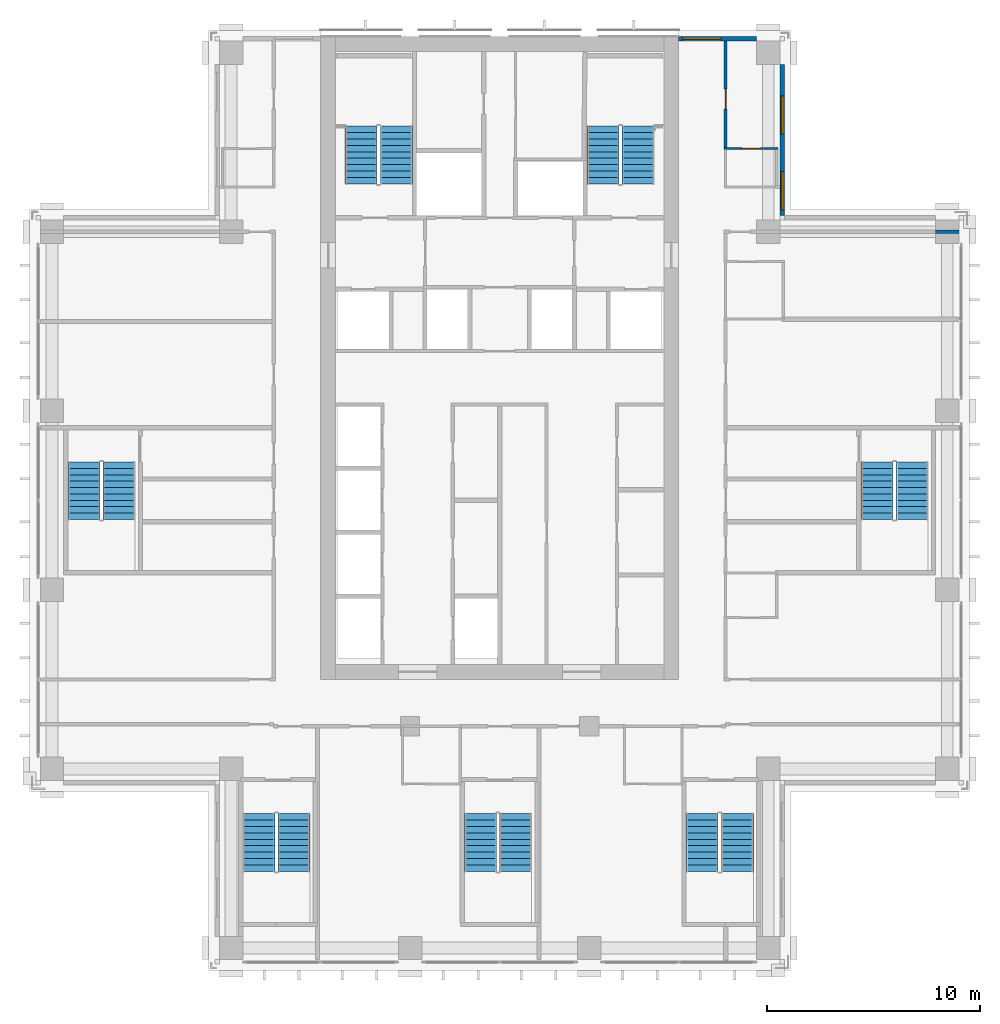
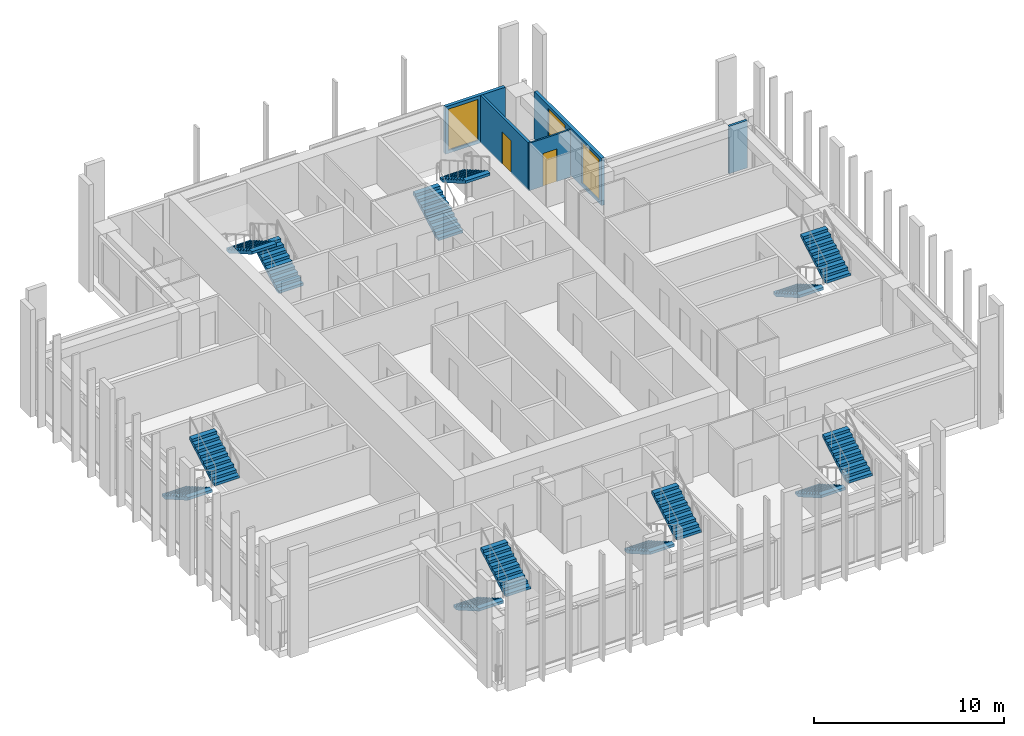
# One storey, part 13 of 16: 14 stair flights, 5 walls, 3 windows, 2 doors, 5 openings, 7 elements without a shape of their own.
"""IFC4 building model written with IfcOpenShell, lengths in metres."""

from ifc_helpers import new_model, si_unit, direction, frame, frame_2d, origin, place, context, subcontext, project, spatial, polyline, rectangle, outline, extrude, material, layer, layer_set, type_object, element, fill, aggregate, save


model = new_model("IFC4")

# Units and contexts
model_context = context("Model", 3, precision=1e-05, world=origin(), true_north=direction((0.0, 1.0)))
body_context = subcontext(model_context, "Body", "Model", "MODEL_VIEW")
ifc_project = project(units=[si_unit("LENGTHUNIT", "METRE"), si_unit("AREAUNIT", "SQUARE_METRE"), si_unit("VOLUMEUNIT", "CUBIC_METRE"), si_unit("PLANEANGLEUNIT", "RADIAN"), si_unit("MASSUNIT", "GRAM", prefix="KILO")], contexts=[model_context])

# Site, building, storey
site_placement = place(None, origin())
site = spatial("IfcSite", under=ifc_project, at=site_placement, CompositionType="ELEMENT")
building_placement = place(site_placement, origin())
building = spatial("IfcBuilding", under=site, at=building_placement, Name="Vermilion Ogive Tower", CompositionType="ELEMENT")
storey_placement = place(building_placement, frame((0.0, 0.0, 150.35009765625)))
storey = spatial("IfcBuildingStorey", under=building, at=storey_placement, Name="L38", CompositionType="ELEMENT", Elevation=150.35009765625)

# Wall, opening, door
ifc_material_1 = material(Name="Gypsum board partition on steel studs", Category="steel")
ifc_layer_1 = layer(ifc_material_1, 0.10009765625)
ifc_layer_set_1 = layer_set([ifc_layer_1], Name="Partition 100 bath")
wall_type_1 = type_object("IfcWallType", Name="Partition 100 bath", PredefinedType="PARTITIONING", material=ifc_layer_set_1)
wall_1_placement = place(storey_placement, frame((10.52490234375, 16.5, 0.0), z_axis=(0.0, 0.0, 1.0), x_axis=(1.0, 0.0, 0.0)))
wall_1 = element("IfcWall", 1, at=wall_1_placement, inside=storey, type_object=wall_type_1, Name="L38-W-W039", PredefinedType="PARTITIONING", context=body_context, shape_type="SweptSolid", body=[
    extrude(rectangle(XDim=2.525146484375, YDim=0.10009765625, at=frame_2d((1.2626953125, 0.0))), origin(), (0.0, 0.0, 1.0), 3.0498046875),
])
opening_1_placement = place(wall_1_placement, frame((0.85009765625, 0.0, 0.0)))
opening_1 = element("IfcOpeningElement", 2, at=opening_1_placement, cuts=wall_1, Name="Opening D3G3018", PredefinedType="OPENING", context=body_context, shape_type="SweptSolid", body=[
    extrude(rectangle(XDim=0.85009765625, YDim=2.10009765625, at=frame_2d((0.425048828125, 1.050048828125))), frame((0.0, 0.06005859375, 0.0), z_axis=(0.0, -1.0, 0.0), x_axis=(1.0, 0.0, 0.0)), (0.0, 0.0, 1.0), 0.1201171875),
])
ifc_material_2 = material(Name="Timber door leaf", Category="wood")
door_type_1 = type_object("IfcDoorType", Name="Bath door 850 x 2100 FD30", OperationType="SINGLE_SWING_LEFT", PredefinedType="DOOR", material=ifc_material_2)
door_1_placement = place(opening_1_placement, origin())
door_1 = element("IfcDoor", 3, at=door_1_placement, inside=storey, type_object=door_type_1, Name="L38-D-D018", OperationType="SINGLE_SWING_RIGHT", OverallHeight=2.10009765625, OverallWidth=0.85009765625, PredefinedType="DOOR", context=body_context, shape_type="SweptSolid", body=[
    extrude(rectangle(XDim=0.85009765625, YDim=2.10009765625, at=frame_2d((0.425048828125, 1.050048828125))), frame((0.0, 0.02490234375, 0.0), z_axis=(0.0, -1.0, 0.0), x_axis=(1.0, 0.0, 0.0)), (0.0, 0.0, 1.0), 0.050048828125),
])
fill(opening_1, door_1)

ifc_material_3 = material(Name="Gypsum board partition on steel studs", Category="steel")
ifc_layer_2 = layer(ifc_material_3, 0.14990234375)
ifc_layer_set_2 = layer_set([ifc_layer_2], Name="Partition 150 corridor")
wall_type_2 = type_object("IfcWallType", Name="Partition 150 corridor", PredefinedType="PARTITIONING", material=ifc_layer_set_2)
wall_2_placement = place(storey_placement, frame((10.60009765625, 16.550048828125, 0.0), z_axis=(0.0, 0.0, 1.0), x_axis=(0.0, 1.0, 0.0)))
wall_2 = element("IfcWall", 4, at=wall_2_placement, inside=storey, type_object=wall_type_2, Name="L38-W-W063", PredefinedType="PARTITIONING", context=body_context, shape_type="SweptSolid", body=[
    extrude(rectangle(XDim=5.0, YDim=0.14990234375, at=frame_2d((2.5, 0.0))), origin(), (0.0, 0.0, 1.0), 3.0498046875),
])
opening_2_placement = place(wall_2_placement, frame((1.800048828125, 0.0, 0.0)))
opening_2 = element("IfcOpeningElement", 5, at=opening_2_placement, cuts=wall_2, Name="Opening D3G3017", PredefinedType="OPENING", context=body_context, shape_type="SweptSolid", body=[
    extrude(rectangle(XDim=0.949951171875, YDim=2.10009765625, at=frame_2d((0.47509765625, 1.050048828125))), frame((0.0, 0.0849609375, 0.0), z_axis=(0.0, -1.0, 0.0), x_axis=(1.0, 0.0, 0.0)), (0.0, 0.0, 1.0), 0.169921875),
])
ifc_material_4 = material(Name="Timber door leaf", Category="wood")
door_type_2 = type_object("IfcDoorType", Name="Unit door 950 x 2100 FD30S", OperationType="SINGLE_SWING_LEFT", PredefinedType="DOOR", material=ifc_material_4)
door_2_placement = place(opening_2_placement, origin())
door_2 = element("IfcDoor", 6, at=door_2_placement, inside=storey, type_object=door_type_2, Name="L38-D-D017", OperationType="SINGLE_SWING_LEFT", OverallHeight=2.10009765625, OverallWidth=0.949951171875, PredefinedType="DOOR", context=body_context, shape_type="SweptSolid", body=[
    extrude(rectangle(XDim=0.949951171875, YDim=2.10009765625, at=frame_2d((0.47509765625, 1.050048828125))), frame((0.0, 0.02490234375, 0.0), z_axis=(0.0, -1.0, 0.0), x_axis=(1.0, 0.0, 0.0)), (0.0, 0.0, 1.0), 0.050048828125),
])
fill(opening_2, door_2)

# Wall
wall_3_placement = place(storey_placement, frame((20.449951171875, 12.60009765625, 0.0), z_axis=(0.0, 0.0, 1.0), x_axis=(1.0, 0.0, 0.0)))
element("IfcWall", 7, at=wall_3_placement, inside=storey, type_object=wall_type_2, Name="L38-W-W033-h2", PredefinedType="PARTITIONING", context=body_context, shape_type="SweptSolid", body=[
    extrude(rectangle(XDim=1.10009765625, YDim=0.14990234375, at=frame_2d((0.550048828125, 0.0))), origin(), (0.0, 0.0, 1.0), 3.0498046875),
])

# Wall, openings, windows
ifc_material_5 = material(Name="Aluminium window wall framing", Category="aluminium")
ifc_layer_3 = layer(ifc_material_5, 0.199951171875)
ifc_layer_set_3 = layer_set([ifc_layer_3], Name="Window wall")
wall_type_3 = type_object("IfcWallType", Name="Window wall", PredefinedType="STANDARD", material=ifc_layer_set_3)
wall_4_placement = place(storey_placement, frame((13.25, 13.35009765625, 0.0), z_axis=(0.0, 0.0, 1.0), x_axis=(0.0, 1.0, 0.0)))
wall_4 = element("IfcWall", 8, at=wall_4_placement, inside=storey, type_object=wall_type_3, Name="Window wall X41", PredefinedType="STANDARD", context=body_context, shape_type="SweptSolid", body=[
    extrude(rectangle(XDim=7.099853515625, YDim=0.199951171875, at=frame_2d((3.5498046875, 0.0))), origin(), (0.0, 0.0, 1.0), 3.0498046875),
])
opening_3_placement = place(wall_4_placement, frame((0.27490234375, 0.0, 0.199951171875)))
opening_3 = element("IfcOpeningElement", 9, at=opening_3_placement, cuts=wall_4, Name="Opening W1-X403", PredefinedType="OPENING", context=body_context, shape_type="SweptSolid", body=[
    extrude(rectangle(XDim=1.800048828125, YDim=2.64990234375, at=frame_2d((0.89990234375, 1.324951171875))), frame((0.0, 0.10986328125, 0.0), z_axis=(0.0, -1.0, 0.0), x_axis=(1.0, 0.0, 0.0)), (0.0, 0.0, 1.0), 0.219970703125),
])
opening_4_placement = place(wall_4_placement, frame((3.824951171875, 0.0, 0.199951171875)))
opening_4 = element("IfcOpeningElement", 10, at=opening_4_placement, cuts=wall_4, Name="Opening W1-X404", PredefinedType="OPENING", context=body_context, shape_type="SweptSolid", body=[
    extrude(rectangle(XDim=1.800048828125, YDim=2.64990234375, at=frame_2d((0.89990234375, 1.324951171875))), frame((0.0, 0.10986328125, 0.0), z_axis=(0.0, -1.0, 0.0), x_axis=(1.0, 0.0, 0.0)), (0.0, 0.0, 1.0), 0.219970703125),
])
ifc_material_6 = material(Name="Aluminium framed double glazing", Category="aluminium")
window_type = type_object("IfcWindowType", Name="Guest window W1", PartitioningType="SINGLE_PANEL", PredefinedType="WINDOW", material=ifc_material_6)
window_1_placement = place(opening_3_placement, origin())
window_1 = element("IfcWindow", 11, at=window_1_placement, inside=storey, type_object=window_type, Name="Window X403", OverallHeight=2.64990234375, OverallWidth=1.800048828125, PartitioningType="SINGLE_PANEL", PredefinedType="WINDOW", context=body_context, shape_type="SweptSolid", body=[
    extrude(rectangle(XDim=1.800048828125, YDim=2.64990234375, at=frame_2d((0.89990234375, 1.324951171875))), frame((0.0, 0.030029296875, 0.0), z_axis=(0.0, -1.0, 0.0), x_axis=(1.0, 0.0, 0.0)), (0.0, 0.0, 1.0), 0.06005859375),
])
fill(opening_3, window_1)
window_2_placement = place(opening_4_placement, origin())
window_2 = element("IfcWindow", 12, at=window_2_placement, inside=storey, type_object=window_type, Name="Window X404", OverallHeight=2.64990234375, OverallWidth=1.800048828125, PartitioningType="SINGLE_PANEL", PredefinedType="WINDOW", context=body_context, shape_type="SweptSolid", body=[
    extrude(rectangle(XDim=1.800048828125, YDim=2.64990234375, at=frame_2d((0.89990234375, 1.324951171875))), frame((0.0, 0.030029296875, 0.0), z_axis=(0.0, -1.0, 0.0), x_axis=(1.0, 0.0, 0.0)), (0.0, 0.0, 1.0), 0.06005859375),
])
fill(opening_4, window_2)

# Wall, opening, window
wall_5_placement = place(storey_placement, frame((12.050048828125, 21.64990234375, 0.0), z_axis=(0.0, 0.0, 1.0), x_axis=(-1.0, 0.0, 0.0)))
wall_5 = element("IfcWall", 13, at=wall_5_placement, inside=storey, type_object=wall_type_3, Name="Window wall N11", PredefinedType="STANDARD", context=body_context, shape_type="SweptSolid", body=[
    extrude(rectangle(XDim=3.650146484375, YDim=0.199951171875, at=frame_2d((1.8251953125, 0.0))), origin(), (0.0, 0.0, 1.0), 3.0498046875),
])
opening_5_placement = place(wall_5_placement, frame((1.669921875, 0.0, 0.199951171875)))
opening_5 = element("IfcOpeningElement", 14, at=opening_5_placement, cuts=wall_5, Name="Opening W1-N102", PredefinedType="OPENING", context=body_context, shape_type="SweptSolid", body=[
    extrude(rectangle(XDim=1.800048828125, YDim=2.64990234375, at=frame_2d((0.89990234375, 1.324951171875))), frame((0.0, 0.10986328125, 0.0), z_axis=(0.0, -1.0, 0.0), x_axis=(1.0, 0.0, 0.0)), (0.0, 0.0, 1.0), 0.219970703125),
])
window_3_placement = place(opening_5_placement, origin())
window_3 = element("IfcWindow", 15, at=window_3_placement, inside=storey, type_object=window_type, Name="Window N102", OverallHeight=2.64990234375, OverallWidth=1.800048828125, PartitioningType="SINGLE_PANEL", PredefinedType="WINDOW", context=body_context, shape_type="SweptSolid", body=[
    extrude(rectangle(XDim=1.800048828125, YDim=2.64990234375, at=frame_2d((0.89990234375, 1.324951171875))), frame((0.0, 0.030029296875, 0.0), z_axis=(0.0, -1.0, 0.0), x_axis=(1.0, 0.0, 0.0)), (0.0, 0.0, 1.0), 0.06005859375),
])
fill(opening_5, window_3)

# Stair, stair flights
ifc_material_7 = material(Name="Concrete B40", Category="concrete")
stair_type = type_object("IfcStairType", Name="Exit stair 1500", PredefinedType="HALF_TURN_STAIR", material=ifc_material_7)
stair_1_placement = place(storey_placement, origin())
stair_1 = element("IfcStair", 16, at=stair_1_placement, inside=storey, type_object=stair_type, Name="L38 Exit Stair ST1", PredefinedType="HALF_TURN_STAIR")
ifc_material_8 = material(Name="Concrete B40", Category="concrete")
stair_flight_type = type_object("IfcStairFlightType", Name="Stair flight 1500", PredefinedType="STRAIGHT", material=ifc_material_8)
stair_flight_1_placement = place(storey_placement, frame((-4.85009765625, 14.85009765625, 0.0), z_axis=(0.0, 0.0, 1.0), x_axis=(0.0, 1.0, 0.0)))
stair_flight_1 = element("IfcStairFlight", 17, at=stair_flight_1_placement, type_object=stair_flight_type, Name="ST1 flight 1", NumberOfRisers=10, NumberOfTreads=9, PredefinedType="STRAIGHT", RiserHeight=0.1725, TreadLength=0.3, context=body_context, shape_type="SweptSolid", body=[
    extrude(outline(polyline([(0.0, 0.0), (0.0, 0.172607421875), (0.300048828125, 0.172607421875), (0.300048828125, 0.344970703125), (0.60009765625, 0.344970703125), (0.60009765625, 0.517578125), (0.89990234375, 0.517578125), (0.89990234375, 0.68994140625), (1.199951171875, 0.68994140625), (1.199951171875, 0.862548828125), (1.5, 0.862548828125), (1.5, 1.034912109375), (1.800048828125, 1.034912109375), (1.800048828125, 1.20751953125), (2.10009765625, 1.20751953125), (2.10009765625, 1.3798828125), (2.39990234375, 1.3798828125), (2.39990234375, 1.552490234375), (2.699951171875, 1.552490234375), (2.699951171875, 1.72509765625), (2.699951171875, 1.379638671875), (0.30078125, 0.0), (0.0, 0.0)])), frame((0.0, 0.75, 0.0), z_axis=(0.0, -1.0, 0.0), x_axis=(1.0, 0.0, 0.0)), (0.0, 0.0, 1.0), 1.5),
])
stair_flight_2_placement = place(storey_placement, frame((-6.5, 17.550048828125, 1.724853515625), z_axis=(0.0, 0.0, 1.0), x_axis=(0.0, -1.0, 0.0)))
stair_flight_2 = element("IfcStairFlight", 18, at=stair_flight_2_placement, type_object=stair_flight_type, Name="ST1 flight 2", NumberOfRisers=10, NumberOfTreads=9, PredefinedType="STRAIGHT", RiserHeight=0.1725, TreadLength=0.3, context=body_context, shape_type="SweptSolid", body=[
    extrude(outline(polyline([(0.0, 0.0), (0.0, 0.172607421875), (0.300048828125, 0.172607421875), (0.300048828125, 0.344970703125), (0.60009765625, 0.344970703125), (0.60009765625, 0.517578125), (0.89990234375, 0.517578125), (0.89990234375, 0.68994140625), (1.199951171875, 0.68994140625), (1.199951171875, 0.862548828125), (1.5, 0.862548828125), (1.5, 1.034912109375), (1.800048828125, 1.034912109375), (1.800048828125, 1.20751953125), (2.10009765625, 1.20751953125), (2.10009765625, 1.3798828125), (2.39990234375, 1.3798828125), (2.39990234375, 1.552490234375), (2.699951171875, 1.552490234375), (2.699951171875, 1.72509765625), (2.699951171875, 1.379638671875), (0.30078125, 0.0), (0.0, 0.0)])), frame((0.0, 0.75, 0.0), z_axis=(0.0, -1.0, 0.0), x_axis=(1.0, 0.0, 0.0)), (0.0, 0.0, 1.0), 1.5),
])
aggregate(stair_1, [stair_flight_1, stair_flight_2])

stair_2_placement = place(storey_placement, origin())
stair_2 = element("IfcStair", 19, at=stair_2_placement, inside=storey, type_object=stair_type, Name="L38 Exit Stair ST2", PredefinedType="HALF_TURN_STAIR")
stair_flight_3_placement = place(storey_placement, frame((4.85009765625, 14.85009765625, 0.0), z_axis=(0.0, 0.0, 1.0), x_axis=(0.0, 1.0, 0.0)))
stair_flight_3 = element("IfcStairFlight", 20, at=stair_flight_3_placement, type_object=stair_flight_type, Name="ST2 flight 1", NumberOfRisers=10, NumberOfTreads=9, PredefinedType="STRAIGHT", RiserHeight=0.1725, TreadLength=0.3, context=body_context, shape_type="SweptSolid", body=[
    extrude(outline(polyline([(0.0, 0.0), (0.0, 0.172607421875), (0.300048828125, 0.172607421875), (0.300048828125, 0.344970703125), (0.60009765625, 0.344970703125), (0.60009765625, 0.517578125), (0.89990234375, 0.517578125), (0.89990234375, 0.68994140625), (1.199951171875, 0.68994140625), (1.199951171875, 0.862548828125), (1.5, 0.862548828125), (1.5, 1.034912109375), (1.800048828125, 1.034912109375), (1.800048828125, 1.20751953125), (2.10009765625, 1.20751953125), (2.10009765625, 1.3798828125), (2.39990234375, 1.3798828125), (2.39990234375, 1.552490234375), (2.699951171875, 1.552490234375), (2.699951171875, 1.72509765625), (2.699951171875, 1.379638671875), (0.30078125, 0.0), (0.0, 0.0)])), frame((0.0, 0.75, 0.0), z_axis=(0.0, -1.0, 0.0), x_axis=(1.0, 0.0, 0.0)), (0.0, 0.0, 1.0), 1.5),
])
stair_flight_4_placement = place(storey_placement, frame((6.5, 17.550048828125, 1.724853515625), z_axis=(0.0, 0.0, 1.0), x_axis=(0.0, -1.0, 0.0)))
stair_flight_4 = element("IfcStairFlight", 21, at=stair_flight_4_placement, type_object=stair_flight_type, Name="ST2 flight 2", NumberOfRisers=10, NumberOfTreads=9, PredefinedType="STRAIGHT", RiserHeight=0.1725, TreadLength=0.3, context=body_context, shape_type="SweptSolid", body=[
    extrude(outline(polyline([(0.0, 0.0), (0.0, 0.172607421875), (0.300048828125, 0.172607421875), (0.300048828125, 0.344970703125), (0.60009765625, 0.344970703125), (0.60009765625, 0.517578125), (0.89990234375, 0.517578125), (0.89990234375, 0.68994140625), (1.199951171875, 0.68994140625), (1.199951171875, 0.862548828125), (1.5, 0.862548828125), (1.5, 1.034912109375), (1.800048828125, 1.034912109375), (1.800048828125, 1.20751953125), (2.10009765625, 1.20751953125), (2.10009765625, 1.3798828125), (2.39990234375, 1.3798828125), (2.39990234375, 1.552490234375), (2.699951171875, 1.552490234375), (2.699951171875, 1.72509765625), (2.699951171875, 1.379638671875), (0.30078125, 0.0), (0.0, 0.0)])), frame((0.0, 0.75, 0.0), z_axis=(0.0, -1.0, 0.0), x_axis=(1.0, 0.0, 0.0)), (0.0, 0.0, 1.0), 1.5),
])
aggregate(stair_2, [stair_flight_3, stair_flight_4])

stair_3_placement = place(storey_placement, origin())
stair_3 = element("IfcStair", 22, at=stair_3_placement, inside=storey, type_object=stair_type, Name="L38 Exit Stair ST3", PredefinedType="HALF_TURN_STAIR")
stair_flight_5_placement = place(storey_placement, frame((-11.300048828125, -14.699951171875, 0.0), z_axis=(0.0, 0.0, 1.0), x_axis=(0.0, -1.0, 0.0)))
stair_flight_5 = element("IfcStairFlight", 23, at=stair_flight_5_placement, type_object=stair_flight_type, Name="ST3 flight 1", NumberOfRisers=10, NumberOfTreads=9, PredefinedType="STRAIGHT", RiserHeight=0.1725, TreadLength=0.3, context=body_context, shape_type="SweptSolid", body=[
    extrude(outline(polyline([(0.0, 0.0), (0.0, 0.172607421875), (0.300048828125, 0.172607421875), (0.300048828125, 0.344970703125), (0.60009765625, 0.344970703125), (0.60009765625, 0.517578125), (0.89990234375, 0.517578125), (0.89990234375, 0.68994140625), (1.199951171875, 0.68994140625), (1.199951171875, 0.862548828125), (1.5, 0.862548828125), (1.5, 1.034912109375), (1.800048828125, 1.034912109375), (1.800048828125, 1.20751953125), (2.10009765625, 1.20751953125), (2.10009765625, 1.3798828125), (2.39990234375, 1.3798828125), (2.39990234375, 1.552490234375), (2.699951171875, 1.552490234375), (2.699951171875, 1.72509765625), (2.699951171875, 1.379638671875), (0.30078125, 0.0), (0.0, 0.0)])), frame((0.0, 0.75, 0.0), z_axis=(0.0, -1.0, 0.0), x_axis=(1.0, 0.0, 0.0)), (0.0, 0.0, 1.0), 1.5),
])
stair_flight_6_placement = place(storey_placement, frame((-9.64990234375, -17.39990234375, 1.724853515625), z_axis=(0.0, 0.0, 1.0), x_axis=(0.0, 1.0, 0.0)))
stair_flight_6 = element("IfcStairFlight", 24, at=stair_flight_6_placement, type_object=stair_flight_type, Name="ST3 flight 2", NumberOfRisers=10, NumberOfTreads=9, PredefinedType="STRAIGHT", RiserHeight=0.1725, TreadLength=0.3, context=body_context, shape_type="SweptSolid", body=[
    extrude(outline(polyline([(0.0, 0.0), (0.0, 0.172607421875), (0.300048828125, 0.172607421875), (0.300048828125, 0.344970703125), (0.60009765625, 0.344970703125), (0.60009765625, 0.517578125), (0.89990234375, 0.517578125), (0.89990234375, 0.68994140625), (1.199951171875, 0.68994140625), (1.199951171875, 0.862548828125), (1.5, 0.862548828125), (1.5, 1.034912109375), (1.800048828125, 1.034912109375), (1.800048828125, 1.20751953125), (2.10009765625, 1.20751953125), (2.10009765625, 1.3798828125), (2.39990234375, 1.3798828125), (2.39990234375, 1.552490234375), (2.699951171875, 1.552490234375), (2.699951171875, 1.72509765625), (2.699951171875, 1.379638671875), (0.30078125, 0.0), (0.0, 0.0)])), frame((0.0, 0.75, 0.0), z_axis=(0.0, -1.0, 0.0), x_axis=(1.0, 0.0, 0.0)), (0.0, 0.0, 1.0), 1.5),
])
aggregate(stair_3, [stair_flight_5, stair_flight_6])

stair_4_placement = place(storey_placement, origin())
stair_4 = element("IfcStair", 25, at=stair_4_placement, inside=storey, type_object=stair_type, Name="L38 Exit Stair ST4", PredefinedType="HALF_TURN_STAIR")
stair_flight_7_placement = place(storey_placement, frame((-0.89990234375, -14.699951171875, 0.0), z_axis=(0.0, 0.0, 1.0), x_axis=(0.0, -1.0, 0.0)))
stair_flight_7 = element("IfcStairFlight", 26, at=stair_flight_7_placement, type_object=stair_flight_type, Name="ST4 flight 1", NumberOfRisers=10, NumberOfTreads=9, PredefinedType="STRAIGHT", RiserHeight=0.1725, TreadLength=0.3, context=body_context, shape_type="SweptSolid", body=[
    extrude(outline(polyline([(0.0, 0.0), (0.0, 0.172607421875), (0.300048828125, 0.172607421875), (0.300048828125, 0.344970703125), (0.60009765625, 0.344970703125), (0.60009765625, 0.517578125), (0.89990234375, 0.517578125), (0.89990234375, 0.68994140625), (1.199951171875, 0.68994140625), (1.199951171875, 0.862548828125), (1.5, 0.862548828125), (1.5, 1.034912109375), (1.800048828125, 1.034912109375), (1.800048828125, 1.20751953125), (2.10009765625, 1.20751953125), (2.10009765625, 1.3798828125), (2.39990234375, 1.3798828125), (2.39990234375, 1.552490234375), (2.699951171875, 1.552490234375), (2.699951171875, 1.72509765625), (2.699951171875, 1.379638671875), (0.30078125, 0.0), (0.0, 0.0)])), frame((0.0, 0.75, 0.0), z_axis=(0.0, -1.0, 0.0), x_axis=(1.0, 0.0, 0.0)), (0.0, 0.0, 1.0), 1.5),
])
stair_flight_8_placement = place(storey_placement, frame((0.75, -17.39990234375, 1.724853515625), z_axis=(0.0, 0.0, 1.0), x_axis=(0.0, 1.0, 0.0)))
stair_flight_8 = element("IfcStairFlight", 27, at=stair_flight_8_placement, type_object=stair_flight_type, Name="ST4 flight 2", NumberOfRisers=10, NumberOfTreads=9, PredefinedType="STRAIGHT", RiserHeight=0.1725, TreadLength=0.3, context=body_context, shape_type="SweptSolid", body=[
    extrude(outline(polyline([(0.0, 0.0), (0.0, 0.172607421875), (0.300048828125, 0.172607421875), (0.300048828125, 0.344970703125), (0.60009765625, 0.344970703125), (0.60009765625, 0.517578125), (0.89990234375, 0.517578125), (0.89990234375, 0.68994140625), (1.199951171875, 0.68994140625), (1.199951171875, 0.862548828125), (1.5, 0.862548828125), (1.5, 1.034912109375), (1.800048828125, 1.034912109375), (1.800048828125, 1.20751953125), (2.10009765625, 1.20751953125), (2.10009765625, 1.3798828125), (2.39990234375, 1.3798828125), (2.39990234375, 1.552490234375), (2.699951171875, 1.552490234375), (2.699951171875, 1.72509765625), (2.699951171875, 1.379638671875), (0.30078125, 0.0), (0.0, 0.0)])), frame((0.0, 0.75, 0.0), z_axis=(0.0, -1.0, 0.0), x_axis=(1.0, 0.0, 0.0)), (0.0, 0.0, 1.0), 1.5),
])
aggregate(stair_4, [stair_flight_7, stair_flight_8])

stair_5_placement = place(storey_placement, origin())
stair_5 = element("IfcStair", 28, at=stair_5_placement, inside=storey, type_object=stair_type, Name="L38 Exit Stair ST5", PredefinedType="HALF_TURN_STAIR")
stair_flight_9_placement = place(storey_placement, frame((9.5, -14.699951171875, 0.0), z_axis=(0.0, 0.0, 1.0), x_axis=(0.0, -1.0, 0.0)))
stair_flight_9 = element("IfcStairFlight", 29, at=stair_flight_9_placement, type_object=stair_flight_type, Name="ST5 flight 1", NumberOfRisers=10, NumberOfTreads=9, PredefinedType="STRAIGHT", RiserHeight=0.1725, TreadLength=0.3, context=body_context, shape_type="SweptSolid", body=[
    extrude(outline(polyline([(0.0, 0.0), (0.0, 0.172607421875), (0.300048828125, 0.172607421875), (0.300048828125, 0.344970703125), (0.60009765625, 0.344970703125), (0.60009765625, 0.517578125), (0.89990234375, 0.517578125), (0.89990234375, 0.68994140625), (1.199951171875, 0.68994140625), (1.199951171875, 0.862548828125), (1.5, 0.862548828125), (1.5, 1.034912109375), (1.800048828125, 1.034912109375), (1.800048828125, 1.20751953125), (2.10009765625, 1.20751953125), (2.10009765625, 1.3798828125), (2.39990234375, 1.3798828125), (2.39990234375, 1.552490234375), (2.699951171875, 1.552490234375), (2.699951171875, 1.72509765625), (2.699951171875, 1.379638671875), (0.30078125, 0.0), (0.0, 0.0)])), frame((0.0, 0.75, 0.0), z_axis=(0.0, -1.0, 0.0), x_axis=(1.0, 0.0, 0.0)), (0.0, 0.0, 1.0), 1.5),
])
stair_flight_10_placement = place(storey_placement, frame((11.14990234375, -17.39990234375, 1.724853515625), z_axis=(0.0, 0.0, 1.0), x_axis=(0.0, 1.0, 0.0)))
stair_flight_10 = element("IfcStairFlight", 30, at=stair_flight_10_placement, type_object=stair_flight_type, Name="ST5 flight 2", NumberOfRisers=10, NumberOfTreads=9, PredefinedType="STRAIGHT", RiserHeight=0.1725, TreadLength=0.3, context=body_context, shape_type="SweptSolid", body=[
    extrude(outline(polyline([(0.0, 0.0), (0.0, 0.172607421875), (0.300048828125, 0.172607421875), (0.300048828125, 0.344970703125), (0.60009765625, 0.344970703125), (0.60009765625, 0.517578125), (0.89990234375, 0.517578125), (0.89990234375, 0.68994140625), (1.199951171875, 0.68994140625), (1.199951171875, 0.862548828125), (1.5, 0.862548828125), (1.5, 1.034912109375), (1.800048828125, 1.034912109375), (1.800048828125, 1.20751953125), (2.10009765625, 1.20751953125), (2.10009765625, 1.3798828125), (2.39990234375, 1.3798828125), (2.39990234375, 1.552490234375), (2.699951171875, 1.552490234375), (2.699951171875, 1.72509765625), (2.699951171875, 1.379638671875), (0.30078125, 0.0), (0.0, 0.0)])), frame((0.0, 0.75, 0.0), z_axis=(0.0, -1.0, 0.0), x_axis=(1.0, 0.0, 0.0)), (0.0, 0.0, 1.0), 1.5),
])
aggregate(stair_5, [stair_flight_9, stair_flight_10])

stair_6_placement = place(storey_placement, origin())
stair_6 = element("IfcStair", 31, at=stair_6_placement, inside=storey, type_object=stair_type, Name="L38 Exit Stair ST8", PredefinedType="HALF_TURN_STAIR")
stair_flight_11_placement = place(storey_placement, frame((17.699951171875, 1.800048828125, 0.0), z_axis=(0.0, 0.0, 1.0), x_axis=(0.0, -1.0, 0.0)))
stair_flight_11 = element("IfcStairFlight", 32, at=stair_flight_11_placement, type_object=stair_flight_type, Name="ST8 flight 1", NumberOfRisers=10, NumberOfTreads=9, PredefinedType="STRAIGHT", RiserHeight=0.1725, TreadLength=0.3, context=body_context, shape_type="SweptSolid", body=[
    extrude(outline(polyline([(0.0, 0.0), (0.0, 0.172607421875), (0.300048828125, 0.172607421875), (0.300048828125, 0.344970703125), (0.60009765625, 0.344970703125), (0.60009765625, 0.517578125), (0.89990234375, 0.517578125), (0.89990234375, 0.68994140625), (1.199951171875, 0.68994140625), (1.199951171875, 0.862548828125), (1.5, 0.862548828125), (1.5, 1.034912109375), (1.800048828125, 1.034912109375), (1.800048828125, 1.20751953125), (2.10009765625, 1.20751953125), (2.10009765625, 1.3798828125), (2.39990234375, 1.3798828125), (2.39990234375, 1.552490234375), (2.699951171875, 1.552490234375), (2.699951171875, 1.72509765625), (2.699951171875, 1.379638671875), (0.30078125, 0.0), (0.0, 0.0)])), frame((0.0, 0.75, 0.0), z_axis=(0.0, -1.0, 0.0), x_axis=(1.0, 0.0, 0.0)), (0.0, 0.0, 1.0), 1.5),
])
stair_flight_12_placement = place(storey_placement, frame((19.35009765625, -0.89990234375, 1.724853515625), z_axis=(0.0, 0.0, 1.0), x_axis=(0.0, 1.0, 0.0)))
stair_flight_12 = element("IfcStairFlight", 33, at=stair_flight_12_placement, type_object=stair_flight_type, Name="ST8 flight 2", NumberOfRisers=10, NumberOfTreads=9, PredefinedType="STRAIGHT", RiserHeight=0.1725, TreadLength=0.3, context=body_context, shape_type="SweptSolid", body=[
    extrude(outline(polyline([(0.0, 0.0), (0.0, 0.172607421875), (0.300048828125, 0.172607421875), (0.300048828125, 0.344970703125), (0.60009765625, 0.344970703125), (0.60009765625, 0.517578125), (0.89990234375, 0.517578125), (0.89990234375, 0.68994140625), (1.199951171875, 0.68994140625), (1.199951171875, 0.862548828125), (1.5, 0.862548828125), (1.5, 1.034912109375), (1.800048828125, 1.034912109375), (1.800048828125, 1.20751953125), (2.10009765625, 1.20751953125), (2.10009765625, 1.3798828125), (2.39990234375, 1.3798828125), (2.39990234375, 1.552490234375), (2.699951171875, 1.552490234375), (2.699951171875, 1.72509765625), (2.699951171875, 1.379638671875), (0.30078125, 0.0), (0.0, 0.0)])), frame((0.0, 0.75, 0.0), z_axis=(0.0, -1.0, 0.0), x_axis=(1.0, 0.0, 0.0)), (0.0, 0.0, 1.0), 1.5),
])
aggregate(stair_6, [stair_flight_11, stair_flight_12])

stair_7_placement = place(storey_placement, origin())
stair_7 = element("IfcStair", 34, at=stair_7_placement, inside=storey, type_object=stair_type, Name="L38 Exit Stair ST9", PredefinedType="HALF_TURN_STAIR")
stair_flight_13_placement = place(storey_placement, frame((-19.5, 1.800048828125, 0.0), z_axis=(0.0, 0.0, 1.0), x_axis=(0.0, -1.0, 0.0)))
stair_flight_13 = element("IfcStairFlight", 35, at=stair_flight_13_placement, type_object=stair_flight_type, Name="ST9 flight 1", NumberOfRisers=10, NumberOfTreads=9, PredefinedType="STRAIGHT", RiserHeight=0.1725, TreadLength=0.3, context=body_context, shape_type="SweptSolid", body=[
    extrude(outline(polyline([(0.0, 0.0), (0.0, 0.172607421875), (0.300048828125, 0.172607421875), (0.300048828125, 0.344970703125), (0.60009765625, 0.344970703125), (0.60009765625, 0.517578125), (0.89990234375, 0.517578125), (0.89990234375, 0.68994140625), (1.199951171875, 0.68994140625), (1.199951171875, 0.862548828125), (1.5, 0.862548828125), (1.5, 1.034912109375), (1.800048828125, 1.034912109375), (1.800048828125, 1.20751953125), (2.10009765625, 1.20751953125), (2.10009765625, 1.3798828125), (2.39990234375, 1.3798828125), (2.39990234375, 1.552490234375), (2.699951171875, 1.552490234375), (2.699951171875, 1.72509765625), (2.699951171875, 1.379638671875), (0.30078125, 0.0), (0.0, 0.0)])), frame((0.0, 0.75, 0.0), z_axis=(0.0, -1.0, 0.0), x_axis=(1.0, 0.0, 0.0)), (0.0, 0.0, 1.0), 1.5),
])
stair_flight_14_placement = place(storey_placement, frame((-17.85009765625, -0.89990234375, 1.724853515625), z_axis=(0.0, 0.0, 1.0), x_axis=(0.0, 1.0, 0.0)))
stair_flight_14 = element("IfcStairFlight", 36, at=stair_flight_14_placement, type_object=stair_flight_type, Name="ST9 flight 2", NumberOfRisers=10, NumberOfTreads=9, PredefinedType="STRAIGHT", RiserHeight=0.1725, TreadLength=0.3, context=body_context, shape_type="SweptSolid", body=[
    extrude(outline(polyline([(0.0, 0.0), (0.0, 0.172607421875), (0.300048828125, 0.172607421875), (0.300048828125, 0.344970703125), (0.60009765625, 0.344970703125), (0.60009765625, 0.517578125), (0.89990234375, 0.517578125), (0.89990234375, 0.68994140625), (1.199951171875, 0.68994140625), (1.199951171875, 0.862548828125), (1.5, 0.862548828125), (1.5, 1.034912109375), (1.800048828125, 1.034912109375), (1.800048828125, 1.20751953125), (2.10009765625, 1.20751953125), (2.10009765625, 1.3798828125), (2.39990234375, 1.3798828125), (2.39990234375, 1.552490234375), (2.699951171875, 1.552490234375), (2.699951171875, 1.72509765625), (2.699951171875, 1.379638671875), (0.30078125, 0.0), (0.0, 0.0)])), frame((0.0, 0.75, 0.0), z_axis=(0.0, -1.0, 0.0), x_axis=(1.0, 0.0, 0.0)), (0.0, 0.0, 1.0), 1.5),
])
aggregate(stair_7, [stair_flight_13, stair_flight_14])

save(model, "model.ifc")
